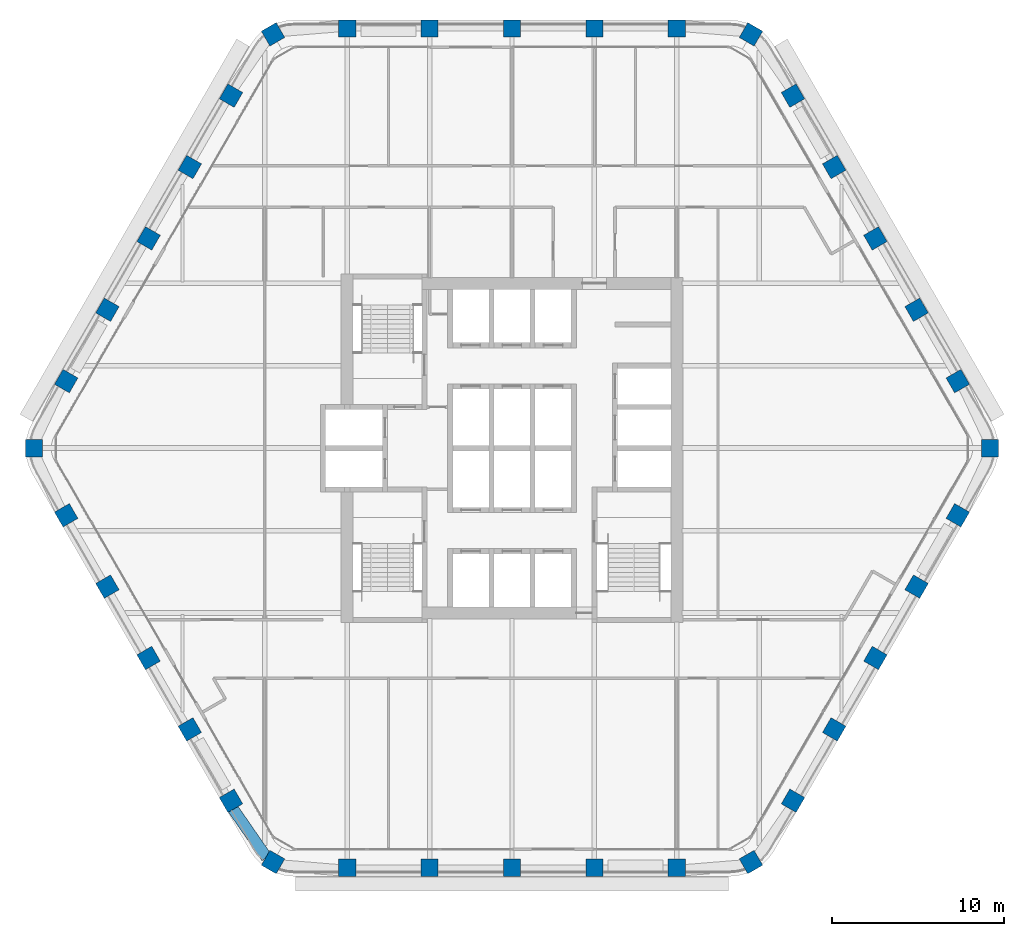
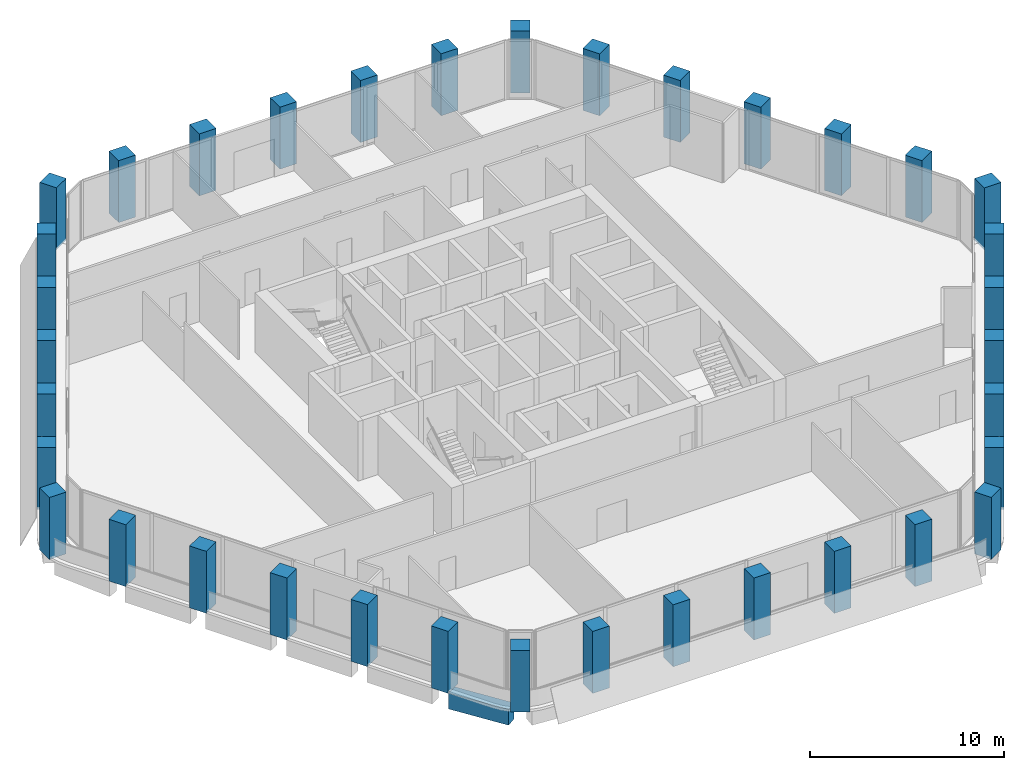
# One storey, part 1 of 15: 36 columns, 1 beam.
"""IFC4 building model written with IfcOpenShell, lengths in metres."""

import ifcopenshell
import ifcopenshell.guid

model = None  # the IFC model being written
_history = None  # IfcOwnerHistory: only IFC2X3 demands one
_inside = {}  # id of a spatial element -> (the spatial element, [elements in it])
_under = {}  # id of a project, library or spatial element -> (it, [spatial elements below it])
_declared = {}  # id of a project -> (the project, [libraries it declares])
_typed = {}  # id of a type object -> (the type object, [elements of that type])
_made_of = {}  # id of a material, layer set ... -> (it, [elements and type objects made of it])


def new_model(schema):
    """Start an empty IFC model of exactly this schema.

    Asked for "IFC4X3", IfcOpenShell would pick the latest addendum, in which some entities
    have other attributes; the version numbers below select the first issue.
    IFC2X3 requires an IfcOwnerHistory on every rooted entity: one is made here for all.
    """
    global model, _history
    if schema == "IFC4X3":
        model = ifcopenshell.file(schema_version=(4, 3, 0, 0))
    else:
        model = ifcopenshell.file(schema=schema)
    _inside.clear()
    _under.clear()
    _declared.clear()
    _typed.clear()
    _made_of.clear()
    _history = None
    if model.schema == "IFC2X3":
        org = make("IfcOrganization", Name="unknown")
        user = make(
            "IfcPersonAndOrganization",
            ThePerson=make("IfcPerson", FamilyName="unknown"),
            TheOrganization=org,
        )
        app = make(
            "IfcApplication",
            ApplicationDeveloper=org,
            Version="unknown",
            ApplicationFullName="unknown",
            ApplicationIdentifier="unknown",
        )
        _history = make(
            "IfcOwnerHistory",
            OwningUser=user,
            OwningApplication=app,
            ChangeAction="ADDED",
            CreationDate=0,
        )
    return model


def make(cls, **values):
    """One entity of the class cls with the attributes given. An attribute that is None is left unset."""
    return model.create_entity(
        cls, **{name: value for name, value in values.items() if value is not None}
    )


def rooted(cls, **values):
    """An entity with a GlobalId (a new one), such as an element, a storey or a relation."""
    return make(cls, GlobalId=ifcopenshell.guid.new(), OwnerHistory=_history, **values)


def si_unit(unit_type, name, prefix=None):
    """IfcSIUnit, for example si_unit("LENGTHUNIT", "METRE", prefix="MILLI")."""
    return make("IfcSIUnit", UnitType=unit_type, Prefix=prefix, Name=name)


def assignment(units):
    """IfcUnitAssignment: the units of a project."""
    return None if units is None else make("IfcUnitAssignment", Units=units)


def point(xyz):
    """IfcCartesianPoint."""
    return None if xyz is None else make("IfcCartesianPoint", Coordinates=xyz)


def direction(xyz):
    """IfcDirection."""
    return None if xyz is None else make("IfcDirection", DirectionRatios=xyz)


def frame(location, z_axis=None, x_axis=None):
    """IfcAxis2Placement3D, a coordinate frame: its origin and axes. An axis left out is left unset."""
    return make(
        "IfcAxis2Placement3D",
        Location=point(location),
        Axis=direction(z_axis),
        RefDirection=direction(x_axis),
    )


def frame_2d(location, x_axis=None):
    """IfcAxis2Placement2D, a coordinate frame in the plane: its origin and x axis."""
    return make(
        "IfcAxis2Placement2D", Location=point(location), RefDirection=direction(x_axis)
    )


def origin():
    """The frame at (0, 0, 0) with its axes left unset."""
    return frame((0.0, 0.0, 0.0))


def origin_2d():
    """The frame at (0, 0) in the plane with its x axis left unset."""
    return frame_2d((0.0, 0.0))


def place(relative_to, where):
    """IfcLocalPlacement: puts the frame where relative to a parent placement (None: the world)."""
    return make(
        "IfcLocalPlacement", PlacementRelTo=relative_to, RelativePlacement=where
    )


def context(
    kind, dimensions, precision=None, world=None, true_north=None, identifier=None
):
    """IfcGeometricRepresentationContext, for example the 3D "Model" context."""
    return make(
        "IfcGeometricRepresentationContext",
        ContextIdentifier=identifier,
        ContextType=kind,
        CoordinateSpaceDimension=dimensions,
        Precision=precision,
        WorldCoordinateSystem=world,
        TrueNorth=true_north,
    )


def subcontext(parent, identifier, kind, view, scale=None):
    """IfcGeometricRepresentationSubContext, for example "Body" below "Model"."""
    return make(
        "IfcGeometricRepresentationSubContext",
        ContextIdentifier=identifier,
        ContextType=kind,
        ParentContext=parent,
        TargetScale=scale,
        TargetView=view,
    )


def project(units=None, contexts=None):
    """IfcProject with its units and contexts."""
    return rooted(
        "IfcProject",
        Name="project",
        RepresentationContexts=contexts,
        UnitsInContext=assignment(units),
    )


def spatial(cls, under=None, at=None, **own):
    """A site, building, storey or space (cls), placed at a placement, below another one or the project."""
    s = rooted(cls, ObjectPlacement=at, **own)
    if under is not None:
        _under.setdefault(under.id(), (under, []))[1].append(s)
    return s


def profile(cls, at=None, kind="AREA", **sizes):
    """A parametric profile (cls). Its sizes go by their IFC names, for example OverallWidth=200.0."""
    return make(cls, ProfileType=kind, Position=at, **sizes)


def rectangle(**sizes):
    """IfcRectangleProfileDef."""
    return profile("IfcRectangleProfileDef", **sizes)


def extrude(swept, where, along, depth):
    """IfcExtrudedAreaSolid: the profile swept, set in the frame where, extruded along a direction by depth."""
    return make(
        "IfcExtrudedAreaSolid",
        SweptArea=swept,
        Position=where,
        ExtrudedDirection=direction(along),
        Depth=depth,
    )


def shape(context_of_items, identifier, shape_type, items):
    """IfcShapeRepresentation: the items that make up one representation, for example the "Body"."""
    return make(
        "IfcShapeRepresentation",
        ContextOfItems=context_of_items,
        RepresentationIdentifier=identifier,
        RepresentationType=shape_type,
        Items=items,
    )


def material(Name=None, Category=None):
    """IfcMaterial."""
    return make("IfcMaterial", Name=Name, Category=Category)


def material_profile(
    of_material, cross_section, Name=None, Category=None, Priority=None
):
    """IfcMaterialProfile: a cross section and its material."""
    return make(
        "IfcMaterialProfile",
        Name=Name,
        Material=of_material,
        Profile=cross_section,
        Priority=Priority,
        Category=Category,
    )


def profile_set(profiles, Name=None, composite=None):
    """IfcMaterialProfileSet."""
    return make(
        "IfcMaterialProfileSet",
        Name=Name,
        MaterialProfiles=profiles,
        CompositeProfile=composite,
    )


def made_of(thing, what):
    """Note that an element or type object is made of a material, layer set ...; save() writes the relation."""
    if what is not None:
        _made_of.setdefault(what.id(), (what, []))[1].append(thing)
    return thing


def type_object(cls, material=None, **own):
    """A type object (cls), such as IfcWallType, which elements share."""
    return made_of(rooted(cls, **own), material)


def element(
    cls,
    number,
    at=None,
    inside=None,
    cuts=None,
    type_object=None,
    material=None,
    context=None,
    identifier="Body",
    shape_type=None,
    held_by="IfcProductDefinitionShape",
    body=None,
    shapes=None,
    **own,
):
    """One element of the class cls, such as IfcWall. Its Tag is "e" and its number.

    at: its placement. inside: the storey or other place that contains it. cuts: it is an
    opening in that element (IfcRelVoidsElement). A single representation is given by context,
    identifier, shape_type and body (its items); several are given by shapes. held_by: the class
    of the entity that holds the representations. save() writes the other relations.
    """
    e = rooted(cls, Tag="e%d" % number, ObjectPlacement=at, **own)
    if body is not None:
        shapes = [shape(context, identifier, shape_type, body)]
    if shapes is not None:
        e.Representation = make(held_by, Representations=shapes)
    if inside is not None:
        _inside.setdefault(inside.id(), (inside, []))[1].append(e)
    if cuts is not None:
        rooted(
            "IfcRelVoidsElement", RelatingBuildingElement=cuts, RelatedOpeningElement=e
        )
    if type_object is not None:
        _typed.setdefault(type_object.id(), (type_object, []))[1].append(e)
    return made_of(e, material)


def aggregate(whole, parts):
    """IfcRelAggregates: a whole, such as a stair, and the parts it consists of."""
    return rooted("IfcRelAggregates", RelatingObject=whole, RelatedObjects=parts)


def save(model, path):
    """Write the relations noted so far, then the file.

    IfcRelAggregates (storeys below a building ...), IfcRelContainedInSpatialStructure (elements
    in a storey), IfcRelDefinesByType, IfcRelAssociatesMaterial and IfcRelDeclares: one each for
    every whole, place, type object, material and project.
    """
    for whole, parts in _under.values():
        aggregate(whole, parts)
    for where, things in _inside.values():
        rooted(
            "IfcRelContainedInSpatialStructure",
            RelatedElements=things,
            RelatingStructure=where,
        )
    for kind, things in _typed.values():
        rooted("IfcRelDefinesByType", RelatedObjects=things, RelatingType=kind)
    for what, things in _made_of.values():
        rooted("IfcRelAssociatesMaterial", RelatedObjects=things, RelatingMaterial=what)
    for by, libraries in _declared.values():
        rooted("IfcRelDeclares", RelatingContext=by, RelatedDefinitions=libraries)
    model.write(path)


model = new_model("IFC4")

# Units and contexts
model_context = context("Model", 3, precision=1e-05, world=origin(), true_north=direction((0.0, 1.0)))
body_context = subcontext(model_context, "Body", "Model", "MODEL_VIEW")
ifc_project = project(units=[si_unit("LENGTHUNIT", "METRE"), si_unit("AREAUNIT", "SQUARE_METRE"), si_unit("VOLUMEUNIT", "CUBIC_METRE"), si_unit("PLANEANGLEUNIT", "RADIAN"), si_unit("MASSUNIT", "GRAM", prefix="KILO")], contexts=[model_context])

# Site, building, storey
site_placement = place(None, origin())
site = spatial("IfcSite", under=ifc_project, at=site_placement, CompositionType="ELEMENT")
building_placement = place(site_placement, origin())
building = spatial("IfcBuilding", under=site, at=building_placement, Name="Kolab Exchange Tower", CompositionType="ELEMENT")
storey_placement = place(building_placement, frame((0.0, 0.0, 158.300048828125)))
storey = spatial("IfcBuildingStorey", under=building, at=storey_placement, Name="L32", CompositionType="ELEMENT", Elevation=158.300048828125)

# Columns
ifc_material = material(Name="Concrete C60/75", Category="concrete")
ifc_material_profile_1 = material_profile(ifc_material, rectangle(XDim=1.0, YDim=1.0, at=origin_2d()), Name="RC1000")
ifc_profile_set_1 = profile_set([ifc_material_profile_1], Name="Concrete C60/75")
column_type = type_object("IfcColumnType", Name="PERIMETER COLUMN 1000 SQ C60/75", PredefinedType="COLUMN", material=ifc_profile_set_1)
for number, where, z_axis, x_axis, name in (
    (1, (-13.91796875, 24.106689453125, -0.150146484375), (0.0, 0.0, 1.0), (0.866025403784, 0.5, 0.0), "col/L32/F1-01"),
    (2, (-9.60009765625, 24.441650390625, -0.150146484375), (0.0, 0.0, 1.0), (1.0, 0.0, 0.0), "col/L32/F1-02"),
    (3, (-4.800048828125, 24.441650390625, -0.150146484375), (0.0, 0.0, 1.0), (1.0, 0.0, 0.0), "col/L32/F1-03"),
    (4, (0.0, 24.441650390625, -0.150146484375), (0.0, 0.0, 1.0), (1.0, 0.0, 0.0), "col/L32/F1-04"),
    (5, (4.800048828125, 24.441650390625, -0.150146484375), (0.0, 0.0, 1.0), (1.0, 0.0, 0.0), "col/L32/F1-05"),
    (6, (9.60009765625, 24.441650390625, -0.150146484375), (0.0, 0.0, 1.0), (1.0, 0.0, 0.0), "col/L32/F1-06"),
    (7, (13.91796875, 24.106689453125, -0.150146484375), (0.0, 0.0, 1.0), (0.5, 0.866025403784, 0.0), "col/L32/F2-01"),
    (8, (16.366943359375, 20.53466796875, -0.150146484375), (0.0, 0.0, 1.0), (0.866025403784, 0.5, 0.0), "col/L32/F2-02"),
    (9, (18.76708984375, 16.377685546875, -0.150146484375), (0.0, 0.0, 1.0), (0.866025403784, 0.5, 0.0), "col/L32/F2-03"),
    (10, (21.1669921875, 12.220703125, -0.150146484375), (0.0, 0.0, 1.0), (0.866025403784, 0.5, 0.0), "col/L32/F2-04"),
    (11, (23.56689453125, 8.06396484375, -0.150146484375), (0.0, 0.0, 1.0), (0.866025403784, 0.5, 0.0), "col/L32/F2-05"),
    (12, (25.967041015625, 3.906982421875, -0.150146484375), (0.0, 0.0, 1.0), (0.866025403784, 0.5, 0.0), "col/L32/F2-06"),
    (13, (27.8359375, 0.0, -0.150146484375), (0.0, 0.0, 1.0), (1.0, 0.0, 0.0), "col/L32/F3-01"),
    (14, (25.967041015625, -3.906982421875, -0.150146484375), (0.0, 0.0, 1.0), (0.5, 0.866025403784, 0.0), "col/L32/F3-02"),
    (15, (23.56689453125, -8.06396484375, -0.150146484375), (0.0, 0.0, 1.0), (0.5, 0.866025403784, 0.0), "col/L32/F3-03"),
    (16, (21.1669921875, -12.220703125, -0.150146484375), (0.0, 0.0, 1.0), (0.5, 0.866025403784, 0.0), "col/L32/F3-04"),
    (17, (18.76708984375, -16.377685546875, -0.150146484375), (0.0, 0.0, 1.0), (0.5, 0.866025403784, 0.0), "col/L32/F3-05"),
    (18, (16.366943359375, -20.53466796875, -0.150146484375), (0.0, 0.0, 1.0), (0.5, 0.866025403784, 0.0), "col/L32/F3-06"),
    (19, (13.91796875, -24.106689453125, -0.150146484375), (0.0, 0.0, 1.0), (0.866025403784, 0.5, 0.0), "col/L32/F4-01"),
    (20, (9.60009765625, -24.441650390625, -0.150146484375), (0.0, 0.0, 1.0), (1.0, 0.0, 0.0), "col/L32/F4-02"),
    (21, (4.800048828125, -24.441650390625, -0.150146484375), (0.0, 0.0, 1.0), (1.0, 0.0, 0.0), "col/L32/F4-03"),
    (22, (0.0, -24.441650390625, -0.150146484375), (0.0, 0.0, 1.0), (1.0, 0.0, 0.0), "col/L32/F4-04"),
    (23, (-4.800048828125, -24.441650390625, -0.150146484375), (0.0, 0.0, 1.0), (1.0, 0.0, 0.0), "col/L32/F4-05"),
    (24, (-9.60009765625, -24.441650390625, -0.150146484375), (0.0, 0.0, 1.0), (1.0, 0.0, 0.0), "col/L32/F4-06"),
    (25, (-13.91796875, -24.106689453125, -0.150146484375), (0.0, 0.0, 1.0), (0.5, 0.866025403784, 0.0), "col/L32/F5-01"),
    (26, (-16.366943359375, -20.53466796875, -0.150146484375), (0.0, 0.0, 1.0), (0.866025403784, 0.5, 0.0), "col/L32/F5-02"),
    (27, (-18.76708984375, -16.377685546875, -0.150146484375), (0.0, 0.0, 1.0), (0.866025403784, 0.5, 0.0), "col/L32/F5-03"),
    (28, (-21.1669921875, -12.220703125, -0.150146484375), (0.0, 0.0, 1.0), (0.866025403784, 0.5, 0.0), "col/L32/F5-04"),
    (29, (-23.56689453125, -8.06396484375, -0.150146484375), (0.0, 0.0, 1.0), (0.866025403784, 0.5, 0.0), "col/L32/F5-05"),
    (30, (-25.967041015625, -3.906982421875, -0.150146484375), (0.0, 0.0, 1.0), (0.866025403784, 0.5, 0.0), "col/L32/F5-06"),
    (31, (-27.8359375, 0.0, -0.150146484375), (0.0, 0.0, 1.0), (1.0, 0.0, 0.0), "col/L32/F6-01"),
    (32, (-25.967041015625, 3.906982421875, -0.150146484375), (0.0, 0.0, 1.0), (0.5, 0.866025403784, 0.0), "col/L32/F6-02"),
    (33, (-23.56689453125, 8.06396484375, -0.150146484375), (0.0, 0.0, 1.0), (0.5, 0.866025403784, 0.0), "col/L32/F6-03"),
    (34, (-21.1669921875, 12.220703125, -0.150146484375), (0.0, 0.0, 1.0), (0.5, 0.866025403784, 0.0), "col/L32/F6-04"),
    (35, (-18.76708984375, 16.377685546875, -0.150146484375), (0.0, 0.0, 1.0), (0.5, 0.866025403784, 0.0), "col/L32/F6-05"),
    (36, (-16.366943359375, 20.53466796875, -0.150146484375), (0.0, 0.0, 1.0), (0.5, 0.866025403784, 0.0), "col/L32/F6-06"),
):
    element("IfcColumn", number, at=place(storey_placement, frame(where, z_axis=z_axis, x_axis=x_axis)), inside=storey, type_object=column_type, Name=name, PredefinedType="COLUMN", context=body_context, shape_type="SweptSolid", body=[
        extrude(rectangle(XDim=1.0, YDim=1.0, at=origin_2d()), origin(), (0.0, 0.0, 1.0), 3.900146484375),
    ])

# Beam
ifc_material_profile_2 = material_profile(ifc_material, rectangle(XDim=0.64990234375, YDim=1.0, at=origin_2d()), Name="RC650X1000")
ifc_profile_set_2 = profile_set([ifc_material_profile_2], Name="Concrete C60/75")
beam_type = type_object("IfcBeamType", Name="SPANDREL BEAM 650X1000 C60/75", PredefinedType="BEAM", material=ifc_profile_set_2)
beam_placement = place(storey_placement, frame((-14.29736328125, -23.8359375, -0.650146484375), z_axis=(-0.568572281073, 0.822633309073, 0.0), x_axis=(-0.822633309073, -0.568572281073, 0.0)))
element("IfcBeam", 37, at=beam_placement, inside=storey, type_object=beam_type, Name="beam/L32/sp/F5-01", PredefinedType="BEAM", context=body_context, shape_type="SweptSolid", body=[
    extrude(rectangle(XDim=0.64990234375, YDim=1.0, at=origin_2d()), origin(), (0.0, 0.0, 1.0), 3.445068359375),
])

save(model, "model.ifc")
